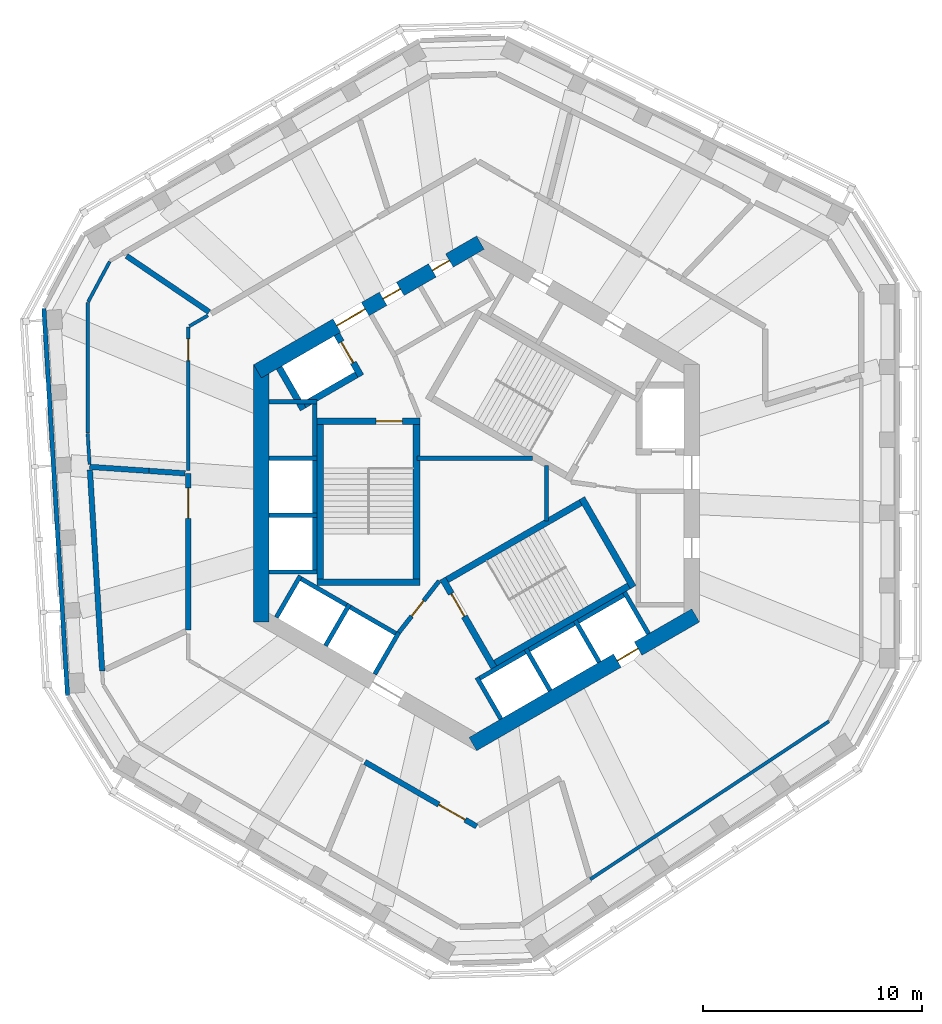
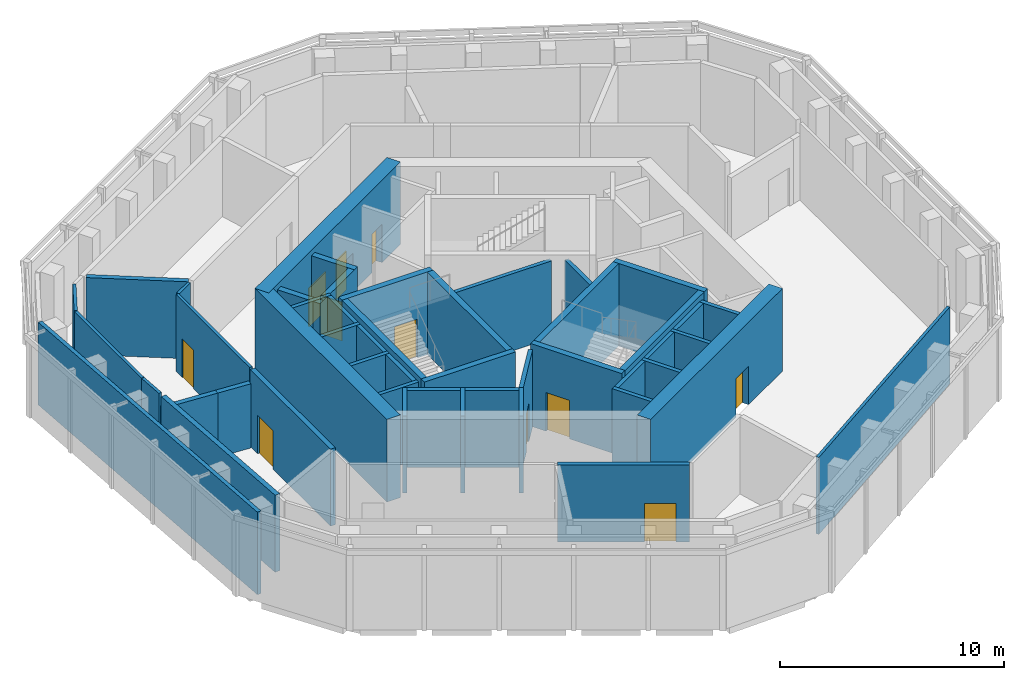
# One storey, part 4 of 9: 44 walls, 11 doors, 11 openings.
"""IFC4 building model written with IfcOpenShell, lengths in metres."""

from ifc_helpers import new_model, si_unit, direction, frame, frame_2d, origin, place, context, subcontext, project, spatial, rectangle, extrude, material, layer, layer_set, type_object, element, fill, save


model = new_model("IFC4")

# Units and contexts
model_context = context("Model", 3, precision=1e-05, world=origin(), true_north=direction((0.0, 1.0)))
body_context = subcontext(model_context, "Body", "Model", "MODEL_VIEW")
ifc_project = project(units=[si_unit("LENGTHUNIT", "METRE"), si_unit("AREAUNIT", "SQUARE_METRE"), si_unit("VOLUMEUNIT", "CUBIC_METRE"), si_unit("PLANEANGLEUNIT", "RADIAN"), si_unit("MASSUNIT", "GRAM", prefix="KILO")], contexts=[model_context])

# Site, building, storey
site_placement = place(None, origin())
site = spatial("IfcSite", under=ifc_project, at=site_placement, CompositionType="ELEMENT")
building_placement = place(site_placement, origin())
building = spatial("IfcBuilding", under=site, at=building_placement, Name="Vanh Sen Convention Tower", CompositionType="ELEMENT")
storey_placement = place(building_placement, frame((0.0, 0.0, 300.5)))
storey = spatial("IfcBuildingStorey", under=building, at=storey_placement, Name="L74", CompositionType="ELEMENT", Elevation=300.5)

# Wall, opening, door
ifc_material_1 = material(Name="Concrete C40/50", Category="concrete")
ifc_layer_1 = layer(ifc_material_1, 0.25)
ifc_layer_set_1 = layer_set([ifc_layer_1], Name="Concrete C40/50")
wall_type_1 = type_object("IfcWallType", Name="Concrete wall 250 EI 180", PredefinedType="SOLIDWALL", material=ifc_layer_set_1)
wall_1_placement = place(storey_placement, frame((0.0, -15.241943359375, 0.0), z_axis=(0.0, 0.0, 1.0), x_axis=(-0.866043002582, 0.49996951675, 0.0)))
wall_1 = element("IfcWall", 1, at=wall_1_placement, inside=storey, type_object=wall_type_1, Name="Fire-resisting wall L74-005", PredefinedType="SOLIDWALL", context=body_context, shape_type="SweptSolid", body=[
    extrude(rectangle(XDim=5.902099609375, YDim=0.25, at=frame_2d((2.951171875, 0.0))), origin(), (0.0, 0.0, 1.0), 4.199951171875),
])
opening_1_placement = place(wall_1_placement, frame((0.60009765625, 0.0, 0.0)))
opening_1 = element("IfcOpeningElement", 2, at=opening_1_placement, cuts=wall_1, Name="Opening D74101", PredefinedType="OPENING", context=body_context, shape_type="SweptSolid", body=[
    extrude(rectangle(XDim=1.39990234375, YDim=2.10009765625, at=frame_2d((0.699951171875, 1.050048828125))), frame((0.0, 0.135009765625, 0.0), z_axis=(0.0, -1.0, 0.0), x_axis=(1.0, 0.0, 0.0)), (0.0, 0.0, 1.0), 0.27001953125),
])
ifc_material_2 = material(Name="Steel S355", Category="steel")
door_type_1 = type_object("IfcDoorType", Name="Service door 1400 EI 60", OperationType="SINGLE_SWING_LEFT", PredefinedType="DOOR", material=ifc_material_2)
door_1_placement = place(opening_1_placement, origin())
door_1 = element("IfcDoor", 3, at=door_1_placement, inside=storey, type_object=door_type_1, Name="Service door D74101", OperationType="SINGLE_SWING_LEFT", OverallHeight=2.10009765625, OverallWidth=1.39990234375, PredefinedType="DOOR", context=body_context, shape_type="SweptSolid", body=[
    extrude(rectangle(XDim=1.39990234375, YDim=2.10009765625, at=frame_2d((0.699951171875, 1.050048828125))), frame((0.0, 0.02490234375, 0.0), z_axis=(0.0, -1.0, 0.0), x_axis=(1.0, 0.0, 0.0)), (0.0, 0.0, 1.0), 0.050048828125),
])
fill(opening_1, door_1)

# Wall
wall_2_placement = place(storey_placement, frame((-17.135986328125, -8.12646484375, 0.0), z_axis=(0.0, 0.0, 1.0), x_axis=(-0.061029278948, 0.998135976263, 0.0)))
element("IfcWall", 4, at=wall_2_placement, inside=storey, type_object=wall_type_1, Name="Fire-resisting wall L74-013", PredefinedType="SOLIDWALL", context=body_context, shape_type="SweptSolid", body=[
    extrude(rectangle(XDim=9.216796875, YDim=0.25, at=frame_2d((4.6083984375, 0.0))), origin(), (0.0, 0.0, 1.0), 4.199951171875),
])

# Wall, opening, door
wall_3_placement = place(storey_placement, frame((-13.199951171875, -6.260009765625, 0.0), z_axis=(0.0, 0.0, 1.0), x_axis=(0.0, 1.0, 0.0)))
wall_3 = element("IfcWall", 5, at=wall_3_placement, inside=storey, type_object=wall_type_1, Name="Fire-resisting wall L74-019", PredefinedType="SOLIDWALL", context=body_context, shape_type="SweptSolid", body=[
    extrude(rectangle(XDim=7.16455078125, YDim=0.25, at=frame_2d((3.582275390625, 0.0))), origin(), (0.0, 0.0, 1.0), 4.199951171875),
])
opening_2_placement = place(wall_3_placement, frame((5.114501953125, 0.0, 0.0)))
opening_2 = element("IfcOpeningElement", 6, at=opening_2_placement, cuts=wall_3, Name="Opening D74103", PredefinedType="OPENING", context=body_context, shape_type="SweptSolid", body=[
    extrude(rectangle(XDim=1.39990234375, YDim=2.10009765625, at=frame_2d((0.699951171875, 1.050048828125))), frame((0.0, 0.135009765625, 0.0), z_axis=(0.0, -1.0, 0.0), x_axis=(1.0, 0.0, 0.0)), (0.0, 0.0, 1.0), 0.27001953125),
])
door_2_placement = place(opening_2_placement, origin())
door_2 = element("IfcDoor", 7, at=door_2_placement, inside=storey, type_object=door_type_1, Name="Service door D74103", OperationType="SINGLE_SWING_LEFT", OverallHeight=2.10009765625, OverallWidth=1.39990234375, PredefinedType="DOOR", context=body_context, shape_type="SweptSolid", body=[
    extrude(rectangle(XDim=1.39990234375, YDim=2.10009765625, at=frame_2d((0.699951171875, 1.050048828125))), frame((0.0, 0.02490234375, 0.0), z_axis=(0.0, -1.0, 0.0), x_axis=(1.0, 0.0, 0.0)), (0.0, 0.0, 1.0), 0.050048828125),
])
fill(opening_2, door_2)

# Walls
wall_4_placement = place(storey_placement, frame((-14.989013671875, 1.027099609375, 0.0), z_axis=(0.0, 0.0, 1.0), x_axis=(0.997659944218, -0.068371307604, 0.0)))
element("IfcWall", 8, at=wall_4_placement, inside=storey, type_object=wall_type_1, Name="Fire-resisting wall L74-020", PredefinedType="SOLIDWALL", context=body_context, shape_type="SweptSolid", body=[
    extrude(rectangle(XDim=1.6533203125, YDim=0.25, at=frame_2d((0.82666015625, 0.0))), origin(), (0.0, 0.0, 1.0), 3.5),
])
wall_5_placement = place(storey_placement, frame((-14.989013671875, 1.027099609375, 0.0), z_axis=(0.0, 0.0, 1.0), x_axis=(-0.99767192893, 0.068196203891, 0.0)))
element("IfcWall", 9, at=wall_5_placement, inside=storey, type_object=wall_type_1, Name="Fire-resisting wall L74-021", PredefinedType="SOLIDWALL", context=body_context, shape_type="SweptSolid", body=[
    extrude(rectangle(XDim=2.724365234375, YDim=0.25, at=frame_2d((1.3623046875, 0.0))), origin(), (0.0, 0.0, 1.0), 3.5),
])
wall_6_placement = place(storey_placement, frame((-12.23974609375, 8.30029296875, 0.0), z_axis=(0.0, 0.0, 1.0), x_axis=(-0.827651287364, 0.561242680598, 0.0)))
element("IfcWall", 10, at=wall_6_placement, inside=storey, type_object=wall_type_1, Name="Fire-resisting wall L74-032", PredefinedType="SOLIDWALL", context=body_context, shape_type="SweptSolid", body=[
    extrude(rectangle(XDim=4.5693359375, YDim=0.25, at=frame_2d((2.28466796875, 0.0))), origin(), (0.0, 0.0, 1.0), 4.199951171875),
])

# Wall, openings, doors
ifc_material_3 = material(Name="Concrete C60/75", Category="concrete")
ifc_layer_2 = layer(ifc_material_3, 0.699951171875)
ifc_layer_set_2 = layer_set([ifc_layer_2], Name="Concrete C60/75")
wall_type_2 = type_object("IfcWallType", Name="Core outer wall 700 C60/75", PredefinedType="SHEAR", material=ifc_layer_set_2)
wall_7_placement = place(storey_placement, frame((0.175048828125, 11.474853515625, 0.0), z_axis=(0.0, 0.0, 1.0), x_axis=(-0.866026453023, -0.499998182661, 0.0)))
wall_7 = element("IfcWall", 11, at=wall_7_placement, inside=storey, type_object=wall_type_2, Name="Core wall face NW L74", PredefinedType="SHEAR", context=body_context, shape_type="SweptSolid", body=[
    extrude(rectangle(XDim=11.77783203125, YDim=0.699951171875, at=frame_2d((5.888916015625, 0.0))), origin(), (0.0, 0.0, 1.0), 4.5),
])
opening_3_placement = place(wall_7_placement, frame((6.089111328125, 0.0, 0.0)))
opening_3 = element("IfcOpeningElement", 12, at=opening_3_placement, cuts=wall_7, Name="Opening D74002", PredefinedType="OPENING", context=body_context, shape_type="SweptSolid", body=[
    extrude(rectangle(XDim=1.5, YDim=2.10009765625, at=frame_2d((0.75, 1.050048828125))), frame((0.0, 0.35986328125, 0.0), z_axis=(0.0, -1.0, 0.0), x_axis=(1.0, 0.0, 0.0)), (0.0, 0.0, 1.0), 0.719970703125),
])
opening_4_placement = place(wall_7_placement, frame((1.638916015625, 0.0, 0.0)))
opening_4 = element("IfcOpeningElement", 13, at=opening_4_placement, cuts=wall_7, Name="Opening D74013", PredefinedType="OPENING", context=body_context, shape_type="SweptSolid", body=[
    extrude(rectangle(XDim=0.89990234375, YDim=2.10009765625, at=frame_2d((0.449951171875, 1.050048828125))), frame((0.0, 0.35986328125, 0.0), z_axis=(0.0, -1.0, 0.0), x_axis=(1.0, 0.0, 0.0)), (0.0, 0.0, 1.0), 0.719970703125),
])
opening_5_placement = place(wall_7_placement, frame((4.239013671875, 0.0, 0.0)))
opening_5 = element("IfcOpeningElement", 14, at=opening_5_placement, cuts=wall_7, Name="Opening D74014", PredefinedType="OPENING", context=body_context, shape_type="SweptSolid", body=[
    extrude(rectangle(XDim=0.89990234375, YDim=2.10009765625, at=frame_2d((0.449951171875, 1.050048828125))), frame((0.0, 0.35986328125, 0.0), z_axis=(0.0, -1.0, 0.0), x_axis=(1.0, 0.0, 0.0)), (0.0, 0.0, 1.0), 0.719970703125),
])
ifc_material_4 = material(Name="Steel S355", Category="steel")
door_type_2 = type_object("IfcDoorType", Name="Plant door 900", OperationType="SINGLE_SWING_LEFT", PredefinedType="DOOR", material=ifc_material_4)
door_3_placement = place(opening_4_placement, origin())
door_3 = element("IfcDoor", 15, at=door_3_placement, inside=storey, type_object=door_type_2, Name="Plant door D74013", OperationType="SINGLE_SWING_LEFT", OverallHeight=2.10009765625, OverallWidth=0.89990234375, PredefinedType="DOOR", context=body_context, shape_type="SweptSolid", body=[
    extrude(rectangle(XDim=0.89990234375, YDim=2.10009765625, at=frame_2d((0.449951171875, 1.050048828125))), frame((0.0, 0.02490234375, 0.0), z_axis=(0.0, -1.0, 0.0), x_axis=(1.0, 0.0, 0.0)), (0.0, 0.0, 1.0), 0.050048828125),
])
fill(opening_4, door_3)
door_4_placement = place(opening_5_placement, origin())
door_4 = element("IfcDoor", 16, at=door_4_placement, inside=storey, type_object=door_type_2, Name="Plant door D74014", OperationType="SINGLE_SWING_LEFT", OverallHeight=2.10009765625, OverallWidth=0.89990234375, PredefinedType="DOOR", context=body_context, shape_type="SweptSolid", body=[
    extrude(rectangle(XDim=0.89990234375, YDim=2.10009765625, at=frame_2d((0.449951171875, 1.050048828125))), frame((0.0, 0.02490234375, 0.0), z_axis=(0.0, -1.0, 0.0), x_axis=(1.0, 0.0, 0.0)), (0.0, 0.0, 1.0), 0.050048828125),
])
fill(opening_5, door_4)
door_type_3 = type_object("IfcDoorType", Name="Stair lobby door 1500", OperationType="DOUBLE_DOOR_SINGLE_SWING", PredefinedType="DOOR", material=ifc_material_4)
door_5_placement = place(opening_3_placement, origin())
door_5 = element("IfcDoor", 17, at=door_5_placement, inside=storey, type_object=door_type_3, Name="Stair lobby door D74002", OperationType="DOUBLE_DOOR_SINGLE_SWING", OverallHeight=2.10009765625, OverallWidth=1.5, PredefinedType="DOOR", context=body_context, shape_type="SweptSolid", body=[
    extrude(rectangle(XDim=1.5, YDim=2.10009765625, at=frame_2d((0.75, 1.050048828125))), frame((0.0, 0.02490234375, 0.0), z_axis=(0.0, -1.0, 0.0), x_axis=(1.0, 0.0, 0.0)), (0.0, 0.0, 1.0), 0.050048828125),
])
fill(opening_3, door_5)

# Wall
wall_8_placement = place(storey_placement, frame((-9.85009765625, 5.888916015625, 0.0), z_axis=(0.0, 0.0, 1.0), x_axis=(0.0, -1.0, 0.0)))
element("IfcWall", 18, at=wall_8_placement, inside=storey, type_object=wall_type_2, Name="Core wall face W L74", PredefinedType="SHEAR", context=body_context, shape_type="SweptSolid", body=[
    extrude(rectangle(XDim=11.77783203125, YDim=0.699951171875, at=frame_2d((5.888916015625, 0.0))), origin(), (0.0, 0.0, 1.0), 4.5),
])

# Wall, opening, door
wall_9_placement = place(storey_placement, frame((-0.175048828125, -11.474853515625, 0.0), z_axis=(0.0, 0.0, 1.0), x_axis=(0.866026453023, 0.499998182661, 0.0)))
wall_9 = element("IfcWall", 19, at=wall_9_placement, inside=storey, type_object=wall_type_2, Name="Core wall face SE L74", PredefinedType="SHEAR", context=body_context, shape_type="SweptSolid", body=[
    extrude(rectangle(XDim=11.77783203125, YDim=0.699951171875, at=frame_2d((5.888916015625, 0.0))), origin(), (0.0, 0.0, 1.0), 4.5),
])
opening_6_placement = place(wall_9_placement, frame((7.638916015625, 0.0, 0.0)))
opening_6 = element("IfcOpeningElement", 20, at=opening_6_placement, cuts=wall_9, Name="Opening LD-SV1", PredefinedType="OPENING", context=body_context, shape_type="SweptSolid", body=[
    extrude(rectangle(XDim=1.10009765625, YDim=2.10009765625, at=frame_2d((0.550048828125, 1.050048828125))), frame((0.0, 0.35986328125, 0.0), z_axis=(0.0, -1.0, 0.0), x_axis=(1.0, 0.0, 0.0)), (0.0, 0.0, 1.0), 0.719970703125),
])
ifc_material_5 = material(Name="Stainless steel", Category="steel")
door_type_4 = type_object("IfcDoorType", Name="Lift landing door 1100", OperationType="DOUBLE_DOOR_SLIDING", PredefinedType="DOOR", material=ifc_material_5)
door_6_placement = place(opening_6_placement, origin())
door_6 = element("IfcDoor", 21, at=door_6_placement, inside=storey, type_object=door_type_4, Name="Lift SV1 landing door LD-SV1", OperationType="DOUBLE_DOOR_SLIDING", OverallHeight=2.10009765625, OverallWidth=1.10009765625, PredefinedType="DOOR", context=body_context, shape_type="SweptSolid", body=[
    extrude(rectangle(XDim=1.10009765625, YDim=2.10009765625, at=frame_2d((0.550048828125, 1.050048828125))), frame((0.0, 0.02490234375, 0.0), z_axis=(0.0, -1.0, 0.0), x_axis=(1.0, 0.0, 0.0)), (0.0, 0.0, 1.0), 0.050048828125),
])
fill(opening_6, door_6)

# Walls
ifc_material_6 = material(Name="Masonry blockwork", Category="masonry")
ifc_layer_3 = layer(ifc_material_6, 0.199951171875)
ifc_layer_set_3 = layer_set([ifc_layer_3], Name="Masonry blockwork")
wall_type_3 = type_object("IfcWallType", Name="Core partition 200", PredefinedType="PARTITIONING", material=ifc_layer_set_3)
wall_10_placement = place(storey_placement, frame((-2.719970703125, 1.60009765625, 0.0), z_axis=(0.0, 0.0, 1.0), x_axis=(1.0, 0.0, 0.0)))
element("IfcWall", 22, at=wall_10_placement, inside=storey, type_object=wall_type_3, Name="Core partition L74", PredefinedType="PARTITIONING", context=body_context, shape_type="SweptSolid", body=[
    extrude(rectangle(XDim=5.2685546875, YDim=0.199951171875, at=frame_2d((2.63427734375, 0.0))), origin(), (0.0, 0.0, 1.0), 4.199951171875),
])
wall_11_placement = place(storey_placement, frame((3.199951171875, -1.274658203125, 0.0), z_axis=(0.0, 0.0, 1.0), x_axis=(0.0, 1.0, 0.0)))
element("IfcWall", 23, at=wall_11_placement, inside=storey, type_object=wall_type_3, Name="Core partition L74", PredefinedType="PARTITIONING", context=body_context, shape_type="SweptSolid", body=[
    extrude(rectangle(XDim=2.54931640625, YDim=0.199951171875, at=frame_2d((1.274658203125, 0.0))), origin(), (0.0, 0.0, 1.0), 4.199951171875),
])
ifc_material_7 = material(Name="Insulated lightweight infill wall")
ifc_layer_4 = layer(ifc_material_7, 0.199951171875)
ifc_layer_set_4 = layer_set([ifc_layer_4], Name="Insulated lightweight infill wall")
wall_type_4 = type_object("IfcWallType", Name="External wall 200", PredefinedType="STANDARD", material=ifc_layer_set_4)
wall_12_placement = place(storey_placement, frame((-19.802978515625, 8.4541015625, 0.0), z_axis=(0.0, 0.0, 1.0), x_axis=(0.061036717565, -0.998135521414, 0.0)))
element("IfcWall", 24, at=wall_12_placement, inside=storey, type_object=wall_type_4, Name="External wall W L74", PredefinedType="STANDARD", context=body_context, shape_type="SweptSolid", body=[
    extrude(rectangle(XDim=17.7314453125, YDim=0.199951171875, at=frame_2d((8.86572265625, 0.0))), origin(), (0.0, 0.0, 1.0), 4.5),
])

# Wall, opening, door
ifc_layer_5 = layer(ifc_material_3, 0.300048828125)
ifc_layer_set_5 = layer_set([ifc_layer_5], Name="Concrete C60/75")
wall_type_5 = type_object("IfcWallType", Name="Fire-fighting lift shaft wall 300", PredefinedType="SHEAR", material=ifc_layer_set_5)
wall_13_placement = place(storey_placement, frame((-5.29541015625, 5.3720703125, 0.0), z_axis=(0.0, 0.0, 1.0), x_axis=(-0.500077893725, 0.86598042715, 0.0)))
wall_13 = element("IfcWall", 25, at=wall_13_placement, inside=storey, type_object=wall_type_5, Name="Fire-fighting lift shaft wall L74", PredefinedType="SHEAR", context=body_context, shape_type="SweptSolid", body=[
    extrude(rectangle(XDim=2.199951171875, YDim=0.300048828125, at=frame_2d((1.10009765625, 0.0))), origin(), (0.0, 0.0, 1.0), 4.199951171875),
])
opening_7_placement = place(wall_13_placement, frame((0.699951171875, 0.0, 0.0)))
opening_7 = element("IfcOpeningElement", 26, at=opening_7_placement, cuts=wall_13, Name="Opening LD-FF2", PredefinedType="OPENING", context=body_context, shape_type="SweptSolid", body=[
    extrude(rectangle(XDim=1.10009765625, YDim=2.10009765625, at=frame_2d((0.550048828125, 1.050048828125))), frame((0.0, 0.159912109375, 0.0), z_axis=(0.0, -1.0, 0.0), x_axis=(1.0, 0.0, 0.0)), (0.0, 0.0, 1.0), 0.320068359375),
])
door_type_5 = type_object("IfcDoorType", Name="Fire-fighting lift landing door 1100", OperationType="DOUBLE_DOOR_SLIDING", PredefinedType="DOOR", material=ifc_material_5)
door_7_placement = place(opening_7_placement, origin())
door_7 = element("IfcDoor", 27, at=door_7_placement, inside=storey, type_object=door_type_5, Name="Lift FF2 landing door LD-FF2", OperationType="DOUBLE_DOOR_SLIDING", OverallHeight=2.10009765625, OverallWidth=1.10009765625, PredefinedType="DOOR", context=body_context, shape_type="SweptSolid", body=[
    extrude(rectangle(XDim=1.10009765625, YDim=2.10009765625, at=frame_2d((0.550048828125, 1.050048828125))), frame((0.0, 0.02490234375, 0.0), z_axis=(0.0, -1.0, 0.0), x_axis=(1.0, 0.0, 0.0)), (0.0, 0.0, 1.0), 0.050048828125),
])
fill(opening_7, door_7)

# Walls
wall_14_placement = place(storey_placement, frame((-5.240478515625, 5.576904296875, 0.0), z_axis=(0.0, 0.0, 1.0), x_axis=(-0.866014461049, -0.500018952895, 0.0)))
element("IfcWall", 28, at=wall_14_placement, inside=storey, type_object=wall_type_5, Name="Fire-fighting lift shaft wall L74", PredefinedType="SHEAR", context=body_context, shape_type="SweptSolid", body=[
    extrude(rectangle(XDim=3.349853515625, YDim=0.300048828125, at=frame_2d((1.6748046875, 0.0))), origin(), (0.0, 0.0, 1.0), 4.199951171875),
])
wall_15_placement = place(storey_placement, frame((-7.936767578125, 3.846923828125, 0.0), z_axis=(0.0, 0.0, 1.0), x_axis=(-0.50002983664, 0.866008176907, 0.0)))
element("IfcWall", 29, at=wall_15_placement, inside=storey, type_object=wall_type_5, Name="Fire-fighting lift shaft wall L74", PredefinedType="SHEAR", context=body_context, shape_type="SweptSolid", body=[
    extrude(rectangle(XDim=2.199951171875, YDim=0.300048828125, at=frame_2d((1.10009765625, 0.0))), origin(), (0.0, 0.0, 1.0), 4.199951171875),
])
ifc_layer_6 = layer(ifc_material_1, 0.199951171875)
ifc_layer_set_6 = layer_set([ifc_layer_6], Name="Concrete C40/50")
wall_type_6 = type_object("IfcWallType", Name="Lift shaft wall 200", PredefinedType="PARTITIONING", material=ifc_layer_set_6)
wall_16_placement = place(storey_placement, frame((-7.39990234375, 4.300048828125, 0.0), z_axis=(0.0, 0.0, 1.0), x_axis=(0.0, -1.0, 0.0)))
element("IfcWall", 30, at=wall_16_placement, inside=storey, type_object=wall_type_6, Name="Lift shaft wall L74", PredefinedType="PARTITIONING", context=body_context, shape_type="SweptSolid", body=[
    extrude(rectangle(XDim=8.0, YDim=0.199951171875, at=frame_2d((4.0, 0.0))), origin(), (0.0, 0.0, 1.0), 4.199951171875),
])
for number, where, z_axis, x_axis, name in (
    (31, (-7.300048828125, 4.199951171875, 0.0), (0.0, 0.0, 1.0), (-1.0, 0.0, 0.0), "Lift shaft wall L74"),
    (32, (-7.300048828125, 1.60009765625, 0.0), (0.0, 0.0, 1.0), (-1.0, 0.0, 0.0), "Lift shaft wall L74"),
    (33, (-7.300048828125, -1.0, 0.0), (0.0, 0.0, 1.0), (-1.0, 0.0, 0.0), "Lift shaft wall L74"),
    (34, (-7.300048828125, -3.60009765625, 0.0), (0.0, 0.0, 1.0), (-1.0, 0.0, 0.0), "Lift shaft wall L74"),
):
    element("IfcWall", number, at=place(storey_placement, frame(where, z_axis=z_axis, x_axis=x_axis)), inside=storey, type_object=wall_type_6, Name=name, PredefinedType="PARTITIONING", context=body_context, shape_type="SweptSolid", body=[
        extrude(rectangle(XDim=2.199951171875, YDim=0.199951171875, at=frame_2d((1.10009765625, 0.0))), origin(), (0.0, 0.0, 1.0), 4.199951171875),
    ])
wall_17_placement = place(storey_placement, frame((-8.203369140625, -3.80859375, 0.0), z_axis=(0.0, 0.0, 1.0), x_axis=(0.866028230842, -0.499995103361, 0.0)))
element("IfcWall", 35, at=wall_17_placement, inside=storey, type_object=wall_type_6, Name="Lift shaft wall L74", PredefinedType="PARTITIONING", context=body_context, shape_type="SweptSolid", body=[
    extrude(rectangle(XDim=5.39990234375, YDim=0.199951171875, at=frame_2d((2.699951171875, 0.0))), origin(), (0.0, 0.0, 1.0), 4.199951171875),
])
for number, where, z_axis, x_axis, name in (
    (36, (-8.066650390625, -3.77197265625, 0.0), (0.0, 0.0, 1.0), (-0.50002983664, -0.866008176907, 0.0), "Lift shaft wall L74"),
    (37, (-5.815185546875, -5.072021484375, 0.0), (0.0, 0.0, 1.0), (-0.499946605688, -0.86605622881, 0.0), "Lift shaft wall L74"),
):
    element("IfcWall", number, at=place(storey_placement, frame(where, z_axis=z_axis, x_axis=x_axis)), inside=storey, type_object=wall_type_6, Name=name, PredefinedType="PARTITIONING", context=body_context, shape_type="SweptSolid", body=[
        extrude(rectangle(XDim=2.199951171875, YDim=0.199951171875, at=frame_2d((1.10009765625, 0.0))), origin(), (0.0, 0.0, 1.0), 4.199951171875),
    ])
wall_18_placement = place(storey_placement, frame((-3.5634765625, -6.3720703125, 0.0), z_axis=(0.0, 0.0, 1.0), x_axis=(-0.499994660107, -0.866028486751, 0.0)))
element("IfcWall", 38, at=wall_18_placement, inside=storey, type_object=wall_type_6, Name="Lift shaft wall L74", PredefinedType="PARTITIONING", context=body_context, shape_type="SweptSolid", body=[
    extrude(rectangle(XDim=2.19970703125, YDim=0.199951171875, at=frame_2d((1.099853515625, 0.0))), origin(), (0.0, 0.0, 1.0), 4.199951171875),
])
wall_19_placement = place(storey_placement, frame((-0.02392578125, -8.55859375, 0.0), z_axis=(0.0, 0.0, 1.0), x_axis=(0.866026010844, 0.49999894854, 0.0)))
element("IfcWall", 39, at=wall_19_placement, inside=storey, type_object=wall_type_6, Name="Lift shaft wall L74", PredefinedType="PARTITIONING", context=body_context, shape_type="SweptSolid", body=[
    extrude(rectangle(XDim=8.0, YDim=0.199951171875, at=frame_2d((4.0, 0.0))), origin(), (0.0, 0.0, 1.0), 4.199951171875),
])
for number, where, z_axis, x_axis, name in (
    (40, (0.0126953125, -8.422119140625, 0.0), (0.0, 0.0, 1.0), (0.500077893725, -0.86598042715, 0.0), "Lift shaft wall L74"),
    (41, (2.264404296875, -7.1220703125, 0.0), (0.0, 0.0, 1.0), (0.500077893725, -0.86598042715, 0.0), "Lift shaft wall L74"),
    (42, (4.51611328125, -5.822021484375, 0.0), (0.0, 0.0, 1.0), (0.499946605688, -0.86605622881, 0.0), "Lift shaft wall L74"),
    (43, (6.767578125, -4.52197265625, 0.0), (0.0, 0.0, 1.0), (0.50002983664, -0.866008176907, 0.0), "Lift shaft wall L74"),
):
    element("IfcWall", number, at=place(storey_placement, frame(where, z_axis=z_axis, x_axis=x_axis)), inside=storey, type_object=wall_type_6, Name=name, PredefinedType="PARTITIONING", context=body_context, shape_type="SweptSolid", body=[
        extrude(rectangle(XDim=2.199951171875, YDim=0.199951171875, at=frame_2d((1.10009765625, 0.0))), origin(), (0.0, 0.0, 1.0), 4.199951171875),
    ])
ifc_material_8 = material(Name="Gypsum board on steel studs", Category="steel")
ifc_layer_7 = layer(ifc_material_8, 0.14990234375)
ifc_layer_set_7 = layer_set([ifc_layer_7], Name="Gypsum board on steel studs")
wall_type_7 = type_object("IfcWallType", Name="Partition 150", PredefinedType="PARTITIONING", material=ifc_layer_set_7)
wall_20_placement = place(storey_placement, frame((16.1298828125, -10.429443359375, 0.0), z_axis=(0.0, 0.0, 1.0), x_axis=(-0.833865754552, -0.551967302822, 0.0)))
element("IfcWall", 44, at=wall_20_placement, inside=storey, type_object=wall_type_7, Name="Partition L74-011", PredefinedType="PARTITIONING", context=body_context, shape_type="SweptSolid", body=[
    extrude(rectangle(XDim=13.105224609375, YDim=0.14990234375, at=frame_2d((6.552734375, 0.0))), origin(), (0.0, 0.0, 1.0), 4.199951171875),
])

# Wall, opening, door
ifc_layer_8 = layer(ifc_material_8, 0.14990234375)
ifc_layer_set_8 = layer_set([ifc_layer_8], Name="Gypsum board on steel studs")
wall_type_8 = type_object("IfcWallType", Name="Partition 150 EI 60", PredefinedType="PARTITIONING", material=ifc_layer_set_8)
wall_21_placement = place(storey_placement, frame((-13.199951171875, 1.04443359375, 0.0), z_axis=(0.0, 0.0, 1.0), x_axis=(0.0, 1.0, 0.0)))
wall_21 = element("IfcWall", 45, at=wall_21_placement, inside=storey, type_object=wall_type_8, Name="Partition L74-022", PredefinedType="PARTITIONING", context=body_context, shape_type="SweptSolid", body=[
    extrude(rectangle(XDim=6.57666015625, YDim=0.14990234375, at=frame_2d((3.288330078125, 0.0))), origin(), (0.0, 0.0, 1.0), 4.199951171875),
])
opening_8_placement = place(wall_21_placement, frame((5.026611328125, 0.0, 0.0)))
opening_8 = element("IfcOpeningElement", 46, at=opening_8_placement, cuts=wall_21, Name="Opening D74104", PredefinedType="OPENING", context=body_context, shape_type="SweptSolid", body=[
    extrude(rectangle(XDim=1.0, YDim=2.10009765625, at=frame_2d((0.5, 1.050048828125))), frame((0.0, 0.0849609375, 0.0), z_axis=(0.0, -1.0, 0.0), x_axis=(1.0, 0.0, 0.0)), (0.0, 0.0, 1.0), 0.169921875),
])
ifc_material_9 = material(Name="Timber door in steel frame", Category="steel")
door_type_6 = type_object("IfcDoorType", Name="Room door 1000 EI 30", OperationType="SINGLE_SWING_LEFT", PredefinedType="DOOR", material=ifc_material_9)
door_8_placement = place(opening_8_placement, origin())
door_8 = element("IfcDoor", 47, at=door_8_placement, inside=storey, type_object=door_type_6, Name="Room door D74104", OperationType="SINGLE_SWING_LEFT", OverallHeight=2.10009765625, OverallWidth=1.0, PredefinedType="DOOR", context=body_context, shape_type="SweptSolid", body=[
    extrude(rectangle(XDim=1.0, YDim=2.10009765625, at=frame_2d((0.5, 1.050048828125))), frame((0.0, 0.02490234375, 0.0), z_axis=(0.0, -1.0, 0.0), x_axis=(1.0, 0.0, 0.0)), (0.0, 0.0, 1.0), 0.050048828125),
])
fill(opening_8, door_8)

# Walls
wall_22_placement = place(storey_placement, frame((-17.71435546875, 1.332763671875, 0.0), z_axis=(0.0, 0.0, 1.0), x_axis=(-0.06113130974, 0.998129732535, 0.0)))
element("IfcWall", 48, at=wall_22_placement, inside=storey, type_object=wall_type_8, Name="Partition L74-023", PredefinedType="PARTITIONING", context=body_context, shape_type="SweptSolid", body=[
    extrude(rectangle(XDim=1.40185546875, YDim=0.14990234375, at=frame_2d((0.700927734375, 0.0))), origin(), (0.0, 0.0, 1.0), 4.199951171875),
])
wall_23_placement = place(storey_placement, frame((-17.800048828125, 2.751953125, 0.0), z_axis=(0.0, 0.0, 1.0), x_axis=(0.0, 1.0, 0.0)))
element("IfcWall", 49, at=wall_23_placement, inside=storey, type_object=wall_type_8, Name="Partition L74-024", PredefinedType="PARTITIONING", context=body_context, shape_type="SweptSolid", body=[
    extrude(rectangle(XDim=5.9755859375, YDim=0.14990234375, at=frame_2d((2.98779296875, 0.0))), origin(), (0.0, 0.0, 1.0), 4.199951171875),
])
wall_24_placement = place(storey_placement, frame((-13.14794921875, 7.651123046875, 0.0), z_axis=(0.0, 0.0, 1.0), x_axis=(0.865896137296, 0.500223829315, 0.0)))
element("IfcWall", 50, at=wall_24_placement, inside=storey, type_object=wall_type_8, Name="Partition L74-030", PredefinedType="PARTITIONING", context=body_context, shape_type="SweptSolid", body=[
    extrude(rectangle(XDim=0.9833984375, YDim=0.14990234375, at=frame_2d((0.49169921875, 0.0))), origin(), (0.0, 0.0, 1.0), 4.199951171875),
])
wall_25_placement = place(storey_placement, frame((-17.781005859375, 8.7626953125, 0.0), z_axis=(0.0, 0.0, 1.0), x_axis=(0.473235773647, 0.880935810681, 0.0)))
element("IfcWall", 51, at=wall_25_placement, inside=storey, type_object=wall_type_8, Name="Partition L74-033", PredefinedType="PARTITIONING", context=body_context, shape_type="SweptSolid", body=[
    extrude(rectangle(XDim=2.08984375, YDim=0.14990234375, at=frame_2d((1.044921875, 0.0))), origin(), (0.0, 0.0, 1.0), 4.199951171875),
])

# Wall, opening, door
ifc_layer_9 = layer(ifc_material_1, 0.199951171875)
ifc_layer_set_9 = layer_set([ifc_layer_9], Name="Concrete C40/50")
wall_type_9 = type_object("IfcWallType", Name="Stair lobby wall 200", PredefinedType="PARTITIONING", material=ifc_layer_set_9)
wall_26_placement = place(storey_placement, frame((-1.71240234375, -4.00830078125, 0.0), z_axis=(0.0, 0.0, 1.0), x_axis=(-0.616549420702, -0.787316208287, 0.0)))
wall_26 = element("IfcWall", 52, at=wall_26_placement, inside=storey, type_object=wall_type_9, Name="Stair lobby wall L74", PredefinedType="PARTITIONING", context=body_context, shape_type="SweptSolid", body=[
    extrude(rectangle(XDim=3.002197265625, YDim=0.199951171875, at=frame_2d((1.5009765625, 0.0))), origin(), (0.0, 0.0, 1.0), 4.199951171875),
])
opening_9_placement = place(wall_26_placement, frame((1.14990234375, 0.0, 0.0)))
opening_9 = element("IfcOpeningElement", 53, at=opening_9_placement, cuts=wall_26, Name="Opening D74009", PredefinedType="OPENING", context=body_context, shape_type="SweptSolid", body=[
    extrude(rectangle(XDim=0.89990234375, YDim=2.10009765625, at=frame_2d((0.449951171875, 1.050048828125))), frame((0.0, 0.10986328125, 0.0), z_axis=(0.0, -1.0, 0.0), x_axis=(1.0, 0.0, 0.0)), (0.0, 0.0, 1.0), 0.219970703125),
])
door_9_placement = place(opening_9_placement, origin())
door_9 = element("IfcDoor", 54, at=door_9_placement, inside=storey, type_object=door_type_2, Name="Plant door D74009", OperationType="SINGLE_SWING_LEFT", OverallHeight=2.10009765625, OverallWidth=0.89990234375, PredefinedType="DOOR", context=body_context, shape_type="SweptSolid", body=[
    extrude(rectangle(XDim=0.89990234375, YDim=2.10009765625, at=frame_2d((0.449951171875, 1.050048828125))), frame((0.0, 0.02490234375, 0.0), z_axis=(0.0, -1.0, 0.0), x_axis=(1.0, 0.0, 0.0)), (0.0, 0.0, 1.0), 0.050048828125),
])
fill(opening_9, door_9)

ifc_layer_10 = layer(ifc_material_3, 0.300048828125)
ifc_layer_set_10 = layer_set([ifc_layer_10], Name="Concrete C60/75")
wall_type_10 = type_object("IfcWallType", Name="Stair wall 300", PredefinedType="SHEAR", material=ifc_layer_set_10)
wall_27_placement = place(storey_placement, frame((-2.60009765625, 3.300048828125, 0.0), z_axis=(0.0, 0.0, 1.0), x_axis=(-1.0, 0.0, 0.0)))
wall_27 = element("IfcWall", 55, at=wall_27_placement, inside=storey, type_object=wall_type_10, Name="Stair wall L74", PredefinedType="SHEAR", context=body_context, shape_type="SweptSolid", body=[
    extrude(rectangle(XDim=4.699951171875, YDim=0.300048828125, at=frame_2d((2.35009765625, 0.0))), origin(), (0.0, 0.0, 1.0), 4.5),
])
opening_10_placement = place(wall_27_placement, frame((0.800048828125, 0.0, 0.0)))
opening_10 = element("IfcOpeningElement", 56, at=opening_10_placement, cuts=wall_27, Name="Opening D74005", PredefinedType="OPENING", context=body_context, shape_type="SweptSolid", body=[
    extrude(rectangle(XDim=1.199951171875, YDim=2.10009765625, at=frame_2d((0.60009765625, 1.050048828125))), frame((0.0, 0.159912109375, 0.0), z_axis=(0.0, -1.0, 0.0), x_axis=(1.0, 0.0, 0.0)), (0.0, 0.0, 1.0), 0.320068359375),
])
door_type_7 = type_object("IfcDoorType", Name="Stair door 1200", OperationType="SINGLE_SWING_RIGHT", PredefinedType="DOOR", material=ifc_material_4)
door_10_placement = place(opening_10_placement, origin())
door_10 = element("IfcDoor", 57, at=door_10_placement, inside=storey, type_object=door_type_7, Name="Stair ST2 door D74005", OperationType="SINGLE_SWING_RIGHT", OverallHeight=2.10009765625, OverallWidth=1.199951171875, PredefinedType="DOOR", context=body_context, shape_type="SweptSolid", body=[
    extrude(rectangle(XDim=1.199951171875, YDim=2.10009765625, at=frame_2d((0.60009765625, 1.050048828125))), frame((0.0, 0.02490234375, 0.0), z_axis=(0.0, -1.0, 0.0), x_axis=(1.0, 0.0, 0.0)), (0.0, 0.0, 1.0), 0.050048828125),
])
fill(opening_10, door_10)

# Walls
wall_28_placement = place(storey_placement, frame((-2.60009765625, -4.06005859375, 0.0), z_axis=(0.0, 0.0, 1.0), x_axis=(-1.0, 0.0, 0.0)))
element("IfcWall", 58, at=wall_28_placement, inside=storey, type_object=wall_type_10, Name="Stair wall L74", PredefinedType="SHEAR", context=body_context, shape_type="SweptSolid", body=[
    extrude(rectangle(XDim=4.699951171875, YDim=0.300048828125, at=frame_2d((2.35009765625, 0.0))), origin(), (0.0, 0.0, 1.0), 4.5),
])
for number, where, z_axis, x_axis, name in (
    (59, (-2.75, 3.14990234375, 0.0), (0.0, 0.0, 1.0), (0.0, -1.0, 0.0), "Stair wall L74"),
    (60, (-7.14990234375, 3.14990234375, 0.0), (0.0, 0.0, 1.0), (0.0, -1.0, 0.0), "Stair wall L74"),
):
    element("IfcWall", number, at=place(storey_placement, frame(where, z_axis=z_axis, x_axis=x_axis)), inside=storey, type_object=wall_type_10, Name=name, PredefinedType="SHEAR", context=body_context, shape_type="SweptSolid", body=[
        extrude(rectangle(XDim=7.059814453125, YDim=0.300048828125, at=frame_2d((3.52978515625, 0.0))), origin(), (0.0, 0.0, 1.0), 4.5),
    ])

# Wall, opening, door
wall_29_placement = place(storey_placement, frame((-1.557861328125, -3.901611328125, 0.0), z_axis=(0.0, 0.0, 1.0), x_axis=(0.499977259774, -0.866038532462, 0.0)))
wall_29 = element("IfcWall", 61, at=wall_29_placement, inside=storey, type_object=wall_type_10, Name="Stair wall L74", PredefinedType="SHEAR", context=body_context, shape_type="SweptSolid", body=[
    extrude(rectangle(XDim=4.699951171875, YDim=0.300048828125, at=frame_2d((2.35009765625, 0.0))), origin(), (0.0, 0.0, 1.0), 4.5),
])
opening_11_placement = place(wall_29_placement, frame((0.800048828125, 0.0, 0.0)))
opening_11 = element("IfcOpeningElement", 62, at=opening_11_placement, cuts=wall_29, Name="Opening D74006", PredefinedType="OPENING", context=body_context, shape_type="SweptSolid", body=[
    extrude(rectangle(XDim=1.199951171875, YDim=2.10009765625, at=frame_2d((0.60009765625, 1.050048828125))), frame((0.0, 0.159912109375, 0.0), z_axis=(0.0, -1.0, 0.0), x_axis=(1.0, 0.0, 0.0)), (0.0, 0.0, 1.0), 0.320068359375),
])
door_11_placement = place(opening_11_placement, origin())
door_11 = element("IfcDoor", 63, at=door_11_placement, inside=storey, type_object=door_type_7, Name="Stair ST3 door D74006", OperationType="SINGLE_SWING_RIGHT", OverallHeight=2.10009765625, OverallWidth=1.199951171875, PredefinedType="DOOR", context=body_context, shape_type="SweptSolid", body=[
    extrude(rectangle(XDim=1.199951171875, YDim=2.10009765625, at=frame_2d((0.60009765625, 1.050048828125))), frame((0.0, 0.02490234375, 0.0), z_axis=(0.0, -1.0, 0.0), x_axis=(1.0, 0.0, 0.0)), (0.0, 0.0, 1.0), 0.050048828125),
])
fill(opening_11, door_11)

# Walls
wall_30_placement = place(storey_placement, frame((4.816162109375, -0.2216796875, 0.0), z_axis=(0.0, 0.0, 1.0), x_axis=(0.499977259774, -0.866038532462, 0.0)))
element("IfcWall", 64, at=wall_30_placement, inside=storey, type_object=wall_type_10, Name="Stair wall L74", PredefinedType="SHEAR", context=body_context, shape_type="SweptSolid", body=[
    extrude(rectangle(XDim=4.699951171875, YDim=0.300048828125, at=frame_2d((2.35009765625, 0.0))), origin(), (0.0, 0.0, 1.0), 4.5),
])
for number, where, z_axis, x_axis, name in (
    (65, (-1.35302734375, -3.95654296875, 0.0), (0.0, 0.0, 1.0), (0.866027801685, 0.499995846692, 0.0), "Stair wall L74"),
    (66, (0.846923828125, -7.76708984375, 0.0), (0.0, 0.0, 1.0), (0.866027801685, 0.499995846692, 0.0), "Stair wall L74"),
):
    element("IfcWall", number, at=place(storey_placement, frame(where, z_axis=z_axis, x_axis=x_axis)), inside=storey, type_object=wall_type_10, Name=name, PredefinedType="SHEAR", context=body_context, shape_type="SweptSolid", body=[
        extrude(rectangle(XDim=7.06005859375, YDim=0.300048828125, at=frame_2d((3.530029296875, 0.0))), origin(), (0.0, 0.0, 1.0), 4.5),
    ])

save(model, "model.ifc")
